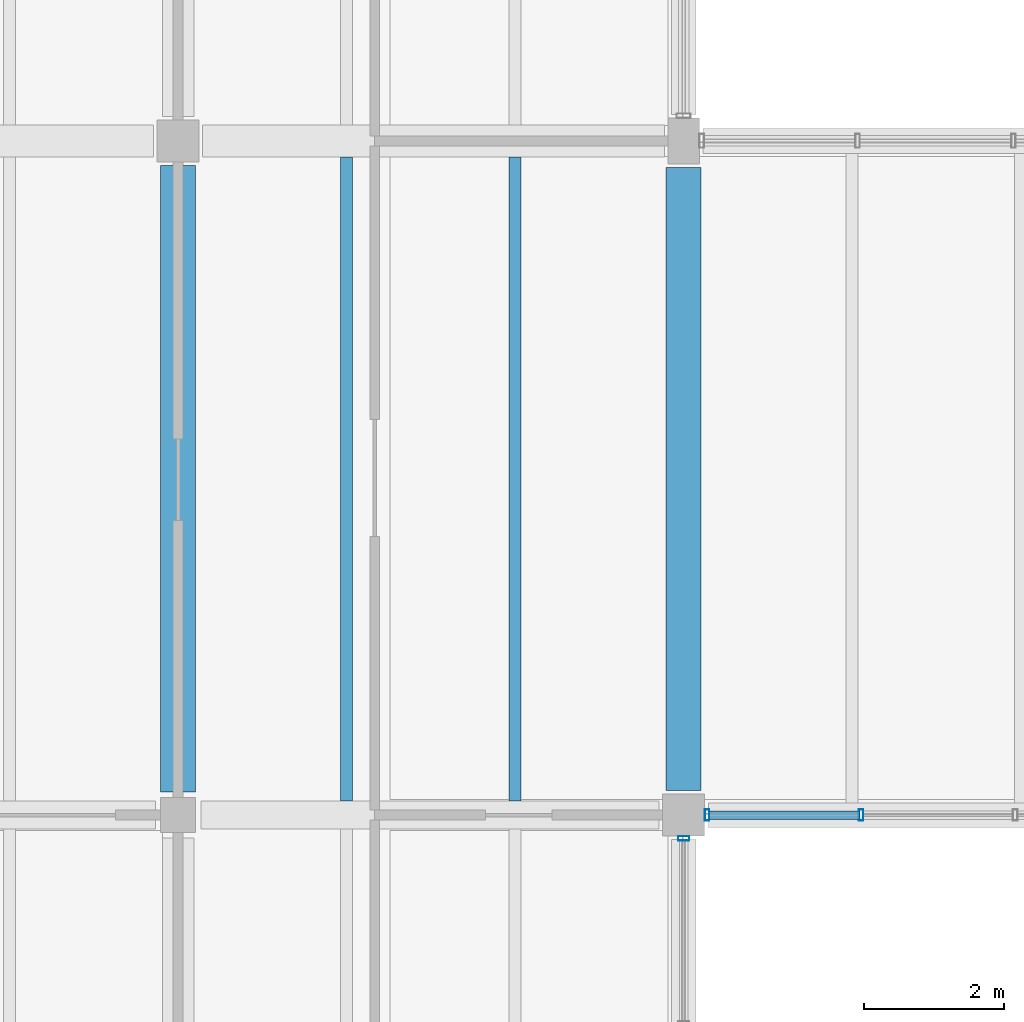
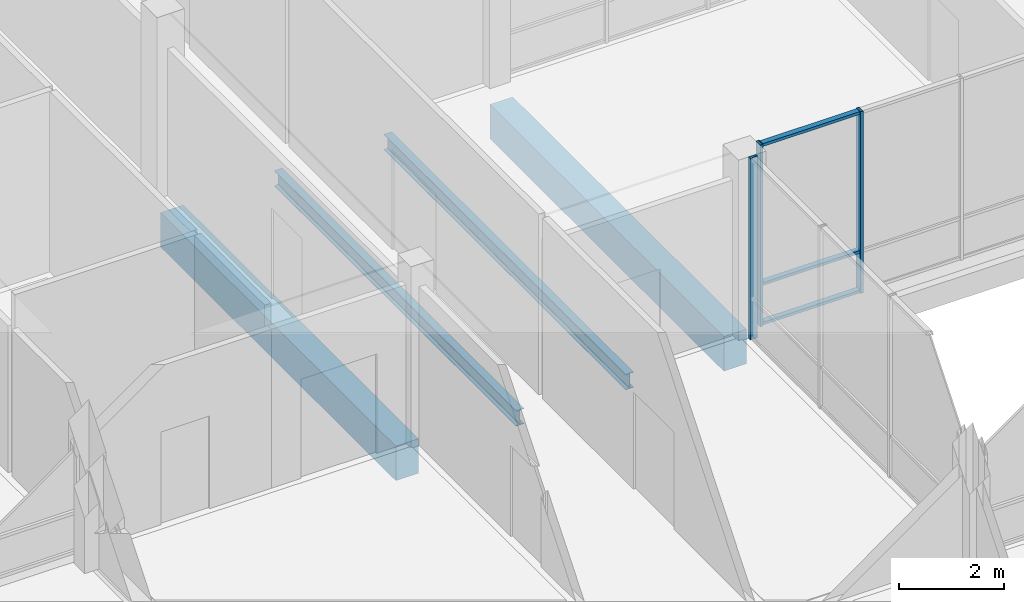
# One storey, part 16 of 104: 6 members, 4 beams, 2 elements without a shape of their own.
"""IFC4 building model written with IfcOpenShell, lengths in metres."""

from ifc_helpers import new_model, si_unit, direction, frame, origin, origin_2d, place, context, subcontext, project, spatial, rectangle, hollow_rectangle, i_section, extrude, material, material_profile, profile_set, type_object, element, aggregate, save


model = new_model("IFC4")

# Units and contexts
model_context = context("Model", 3, precision=1e-05, world=origin(), true_north=direction((0.0, 1.0)))
body_context = subcontext(model_context, "Body", "Model", "MODEL_VIEW")
ifc_project = project(units=[si_unit("LENGTHUNIT", "METRE"), si_unit("AREAUNIT", "SQUARE_METRE"), si_unit("VOLUMEUNIT", "CUBIC_METRE"), si_unit("PLANEANGLEUNIT", "RADIAN"), si_unit("MASSUNIT", "GRAM", prefix="KILO")], contexts=[model_context])

# Site, building, storey
site_placement = place(None, origin())
site = spatial("IfcSite", under=ifc_project, at=site_placement, CompositionType="ELEMENT")
building_placement = place(site_placement, origin())
building = spatial("IfcBuilding", under=site, at=building_placement, Name="Hawrajan Terrace Health Centre", CompositionType="ELEMENT")
storey_placement = place(building_placement, origin())
storey = spatial("IfcBuildingStorey", under=building, at=storey_placement, Name="L00", CompositionType="ELEMENT", Elevation=0.0)

# Curtain wall, member
ifc_material_1 = material(Name="Anodized bronze aluminium and low-E solar glazing", Category="aluminium")
curtain_wall_type_1 = type_object("IfcCurtainWallType", Name="CW_Court_SeriesA3", PredefinedType="USERDEFINED", material=ifc_material_1)
curtain_wall_1_placement = place(storey_placement, origin())
curtain_wall_1 = element("IfcCurtainWall", 1, at=curtain_wall_1_placement, inside=storey, type_object=curtain_wall_type_1, Name="Curtain wall CW-L00-003", ObjectType="UNITISED CURTAIN WALL", PredefinedType="USERDEFINED")
ifc_material_2 = material(Name="Anodized bronze aluminium 6063-T6", Category="aluminium")
ifc_material_profile_1 = material_profile(ifc_material_2, hollow_rectangle(XDim=0.06494140625, YDim=0.159912109375, WallThickness=0.00390625, at=origin_2d()), Name="CW MUL 65x160")
ifc_profile_set_1 = profile_set([ifc_material_profile_1], Name="Anodized bronze aluminium 6063-T6")
member_type_1 = type_object("IfcMemberType", Name="CWMullion_65x160", PredefinedType="MULLION", material=ifc_profile_set_1)
member_1_placement = place(storey_placement, frame((26.199951171875, 26.867431640625, -0.0048828125), z_axis=(0.0, 0.0, 1.0), x_axis=(0.0, 1.0, 0.0)))
member_1 = element("IfcMember", 2, at=member_1_placement, type_object=member_type_1, Name="Mullion CW-L00-003-M4", PredefinedType="MULLION", context=body_context, shape_type="SweptSolid", body=[
    extrude(hollow_rectangle(XDim=0.06494140625, YDim=0.159912109375, WallThickness=0.00390625, at=origin_2d()), origin(), (0.0, 0.0, 1.0), 4.2099609375),
])
aggregate(curtain_wall_1, [member_1])

# Curtain wall, members
curtain_wall_type_2 = type_object("IfcCurtainWallType", Name="CW_Court_SeriesB3", PredefinedType="USERDEFINED", material=ifc_material_1)
curtain_wall_2_placement = place(storey_placement, origin())
curtain_wall_2 = element("IfcCurtainWall", 3, at=curtain_wall_2_placement, inside=storey, type_object=curtain_wall_type_2, Name="Curtain wall CW-L00-006", ObjectType="UNITISED CURTAIN WALL", PredefinedType="USERDEFINED")
member_2_placement = place(storey_placement, frame((26.532470703125, 27.199951171875, -0.0048828125), z_axis=(0.0, 0.0, 1.0), x_axis=(1.0, 0.0, 0.0)))
member_2 = element("IfcMember", 4, at=member_2_placement, type_object=member_type_1, Name="Mullion CW-L00-006-M1", PredefinedType="MULLION", context=body_context, shape_type="SweptSolid", body=[
    extrude(hollow_rectangle(XDim=0.06494140625, YDim=0.159912109375, WallThickness=0.00390625, at=origin_2d()), origin(), (0.0, 0.0, 1.0), 4.2099609375),
])
member_3_placement = place(storey_placement, frame((28.7275390625, 27.199951171875, -0.0048828125), z_axis=(0.0, 0.0, 1.0), x_axis=(1.0, 0.0, 0.0)))
member_3 = element("IfcMember", 5, at=member_3_placement, type_object=member_type_1, Name="Mullion CW-L00-006-M2", PredefinedType="MULLION", context=body_context, shape_type="SweptSolid", body=[
    extrude(hollow_rectangle(XDim=0.06494140625, YDim=0.159912109375, WallThickness=0.00390625, at=origin_2d()), origin(), (0.0, 0.0, 1.0), 4.2099609375),
])
ifc_material_profile_2 = material_profile(ifc_material_2, hollow_rectangle(XDim=0.06494140625, YDim=0.1201171875, WallThickness=0.00341796875, at=origin_2d()), Name="CW TRN 65x120")
ifc_profile_set_2 = profile_set([ifc_material_profile_2], Name="Anodized bronze aluminium 6063-T6")
member_type_2 = type_object("IfcMemberType", Name="CWTransom_65x120", PredefinedType="USERDEFINED", material=ifc_profile_set_2)
member_4_placement = place(storey_placement, frame((26.55908203125, 27.199951171875, 0.032470703125), z_axis=(1.0, 0.0, 0.0), x_axis=(0.0, 0.0, 1.0)))
member_4 = element("IfcMember", 6, at=member_4_placement, type_object=member_type_2, Name="Transom CW-L00-006-T1-1", ObjectType="TRANSOM", PredefinedType="USERDEFINED", context=body_context, shape_type="SweptSolid", body=[
    extrude(hollow_rectangle(XDim=0.06494140625, YDim=0.1201171875, WallThickness=0.00341796875, at=origin_2d()), origin(), (0.0, 0.0, 1.0), 2.141845703125),
])
member_5_placement = place(storey_placement, frame((26.55908203125, 27.199951171875, 0.949951171875), z_axis=(1.0, 0.0, 0.0), x_axis=(0.0, 0.0, 1.0)))
member_5 = element("IfcMember", 7, at=member_5_placement, type_object=member_type_2, Name="Transom CW-L00-006-T1-2", ObjectType="TRANSOM", PredefinedType="USERDEFINED", context=body_context, shape_type="SweptSolid", body=[
    extrude(hollow_rectangle(XDim=0.06494140625, YDim=0.1201171875, WallThickness=0.00341796875, at=origin_2d()), origin(), (0.0, 0.0, 1.0), 2.141845703125),
])
member_6_placement = place(storey_placement, frame((26.55908203125, 27.199951171875, 4.16748046875), z_axis=(1.0, 0.0, 0.0), x_axis=(0.0, 0.0, 1.0)))
member_6 = element("IfcMember", 8, at=member_6_placement, type_object=member_type_2, Name="Transom CW-L00-006-T1-3", ObjectType="TRANSOM", PredefinedType="USERDEFINED", context=body_context, shape_type="SweptSolid", body=[
    extrude(hollow_rectangle(XDim=0.06494140625, YDim=0.1201171875, WallThickness=0.00341796875, at=origin_2d()), origin(), (0.0, 0.0, 1.0), 2.141845703125),
])
aggregate(curtain_wall_2, [member_2, member_3, member_4, member_5, member_6])

# Beams
ifc_material_3 = material(Name="Concrete C40/50", Category="concrete")
ifc_material_profile_3 = material_profile(ifc_material_3, rectangle(XDim=0.5, YDim=0.800048828125, at=origin_2d()), Name="RC BM 500x800")
ifc_profile_set_3 = profile_set([ifc_material_profile_3], Name="Concrete C40/50")
beam_type_1 = type_object("IfcBeamType", Name="RCGirder_500x800", PredefinedType="BEAM", material=ifc_profile_set_3)
beam_1_placement = place(storey_placement, frame((19.0, 27.52490234375, -0.699951171875), z_axis=(0.0, 1.0, 0.0), x_axis=(-1.0, 0.0, 0.0)))
element("IfcBeam", 9, at=beam_1_placement, inside=storey, type_object=beam_type_1, Name="Beam BM-Y-L00-W-X03-4", PredefinedType="BEAM", context=body_context, shape_type="SweptSolid", body=[
    extrude(rectangle(XDim=0.5, YDim=0.800048828125, at=origin_2d()), origin(), (0.0, 0.0, 1.0), 8.925048828125),
])
beam_2_placement = place(storey_placement, frame((26.199951171875, 27.550048828125, -0.699951171875), z_axis=(0.0, 1.0, 0.0), x_axis=(-1.0, 0.0, 0.0)))
element("IfcBeam", 10, at=beam_2_placement, inside=storey, type_object=beam_type_1, Name="Beam BM-Y-L00-W-X04-4", PredefinedType="BEAM", context=body_context, shape_type="SweptSolid", body=[
    extrude(rectangle(XDim=0.5, YDim=0.800048828125, at=origin_2d()), origin(), (0.0, 0.0, 1.0), 8.875),
])
ifc_material_4 = material(Name="Steel S355", Category="steel")
ifc_material_profile_4 = material_profile(ifc_material_4, i_section(OverallWidth=0.169921875, OverallDepth=0.360107421875, WebThickness=0.008056640625, FlangeThickness=0.0126953125, FilletRadius=0.01806640625, at=origin_2d()), Name="IPE 360")
ifc_profile_set_4 = profile_set([ifc_material_profile_4], Name="Steel S355")
beam_type_2 = type_object("IfcBeamType", Name="SteelBeam_IPE360", PredefinedType="BEAM", material=ifc_profile_set_4)
for number, where, z_axis, x_axis, name in (
    (11, (21.39990234375, 27.39990234375, -0.47998046875), (0.0, 1.0, 0.0), (-1.0, 0.0, 0.0), "Secondary joist JST-L00-W-03-4-1"),
    (12, (23.800048828125, 27.39990234375, -0.47998046875), (0.0, 1.0, 0.0), (-1.0, 0.0, 0.0), "Secondary joist JST-L00-W-03-4-2"),
):
    element("IfcBeam", number, at=place(storey_placement, frame(where, z_axis=z_axis, x_axis=x_axis)), inside=storey, type_object=beam_type_2, Name=name, PredefinedType="BEAM", context=body_context, shape_type="SweptSolid", body=[
        extrude(i_section(OverallWidth=0.169921875, OverallDepth=0.360107421875, WebThickness=0.008056640625, FlangeThickness=0.0126953125, FilletRadius=0.01806640625, at=origin_2d()), origin(), (0.0, 0.0, 1.0), 9.175048828125),
    ])

save(model, "model.ifc")
